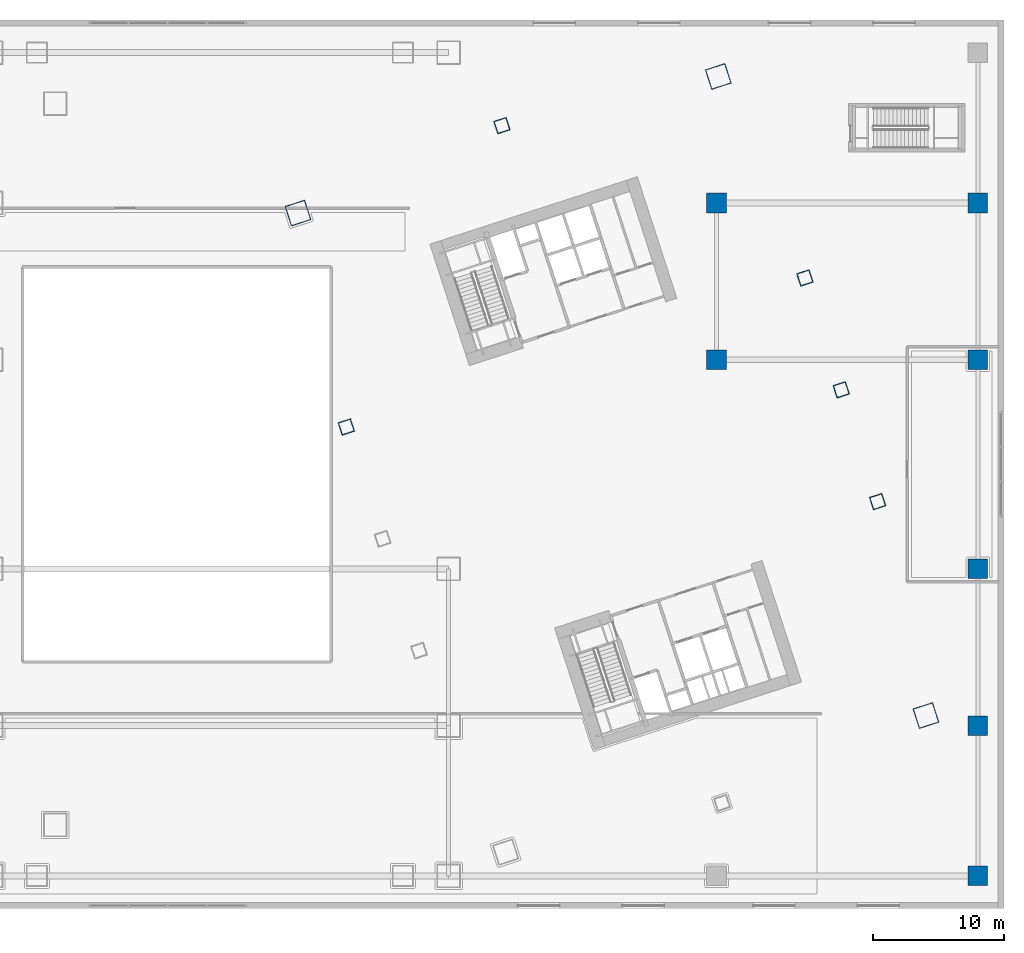
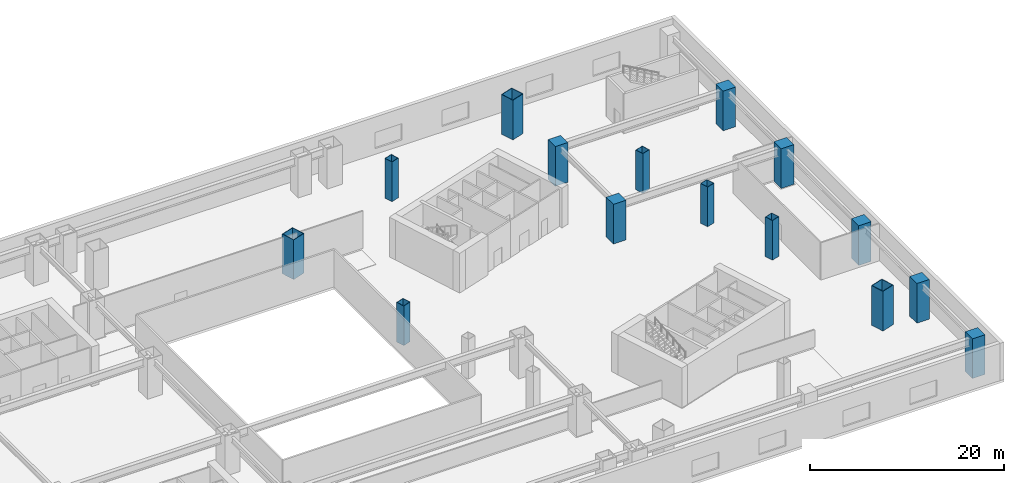
# One storey, part 2 of 35: 15 columns.
"""IFC4 building model written with IfcOpenShell, lengths in metres."""

from ifc_helpers import new_model, si_unit, direction, frame, origin, origin_2d, place, context, subcontext, project, spatial, rectangle, hollow_rectangle, extrude, material, material_profile, profile_set, type_object, element, save


model = new_model("IFC4")

# Units and contexts
model_context = context("Model", 3, precision=1e-05, world=origin(), true_north=direction((0.0, 1.0)))
body_context = subcontext(model_context, "Body", "Model", "MODEL_VIEW")
ifc_project = project(units=[si_unit("LENGTHUNIT", "METRE"), si_unit("AREAUNIT", "SQUARE_METRE"), si_unit("VOLUMEUNIT", "CUBIC_METRE"), si_unit("PLANEANGLEUNIT", "RADIAN"), si_unit("MASSUNIT", "GRAM", prefix="KILO")], contexts=[model_context])

# Site, building, storey
site_placement = place(None, origin())
site = spatial("IfcSite", under=ifc_project, at=site_placement, CompositionType="ELEMENT")
building_placement = place(site_placement, origin())
building = spatial("IfcBuilding", under=site, at=building_placement, Name="Qiaolan Cultural Towers", CompositionType="ELEMENT")
storey_placement = place(building_placement, frame((0.0, 0.0, 11.5)))
storey = spatial("IfcBuildingStorey", under=building, at=storey_placement, Name="L02", CompositionType="ELEMENT", Elevation=11.5)

# Columns
ifc_material_1 = material(Name="Steel Q355B", Category="steel")
ifc_material_profile_1 = material_profile(ifc_material_1, hollow_rectangle(XDim=1.0, YDim=1.0, WallThickness=0.035888671875, at=origin_2d()), Name="BOX1000x1000x36")
ifc_profile_set_1 = profile_set([ifc_material_profile_1], Name="Steel Q355B")
column_type_1 = type_object("IfcColumnType", Name="COL-BOX1000x1000x36", PredefinedType="COLUMN", material=ifc_profile_set_1)
for number, where, z_axis, x_axis, name in (
    (1, (69.671875, 36.858154296875, 0.0), (0.0, 0.0, 1.0), (0.951056516295, 0.309016994375, 0.0), "L02 T2 Column PC-W3"),
    (2, (110.328125, 31.141845703125, 0.0), (0.0, 0.0, 1.0), (0.951056516295, 0.309016994375, 0.0), "L02 T2 Column PC-E1"),
    (3, (107.546875, 39.701416015625, 0.0), (0.0, 0.0, 1.0), (0.951056516295, 0.309016994375, 0.0), "L02 T2 Column PC-E2"),
    (4, (104.765869140625, 48.260986328125, 0.0), (0.0, 0.0, 1.0), (0.951056516295, 0.309016994375, 0.0), "L02 T2 Column PC-E3"),
    (5, (81.579345703125, 59.916259765625, 0.0), (0.0, 0.0, 1.0), (0.951056516295, 0.309016994375, 0.0), "L02 T2 Column PC-N0"),
):
    element("IfcColumn", number, at=place(storey_placement, frame(where, z_axis=z_axis, x_axis=x_axis)), inside=storey, type_object=column_type_1, Name=name, PredefinedType="COLUMN", context=body_context, shape_type="SweptSolid", body=[
        extrude(hollow_rectangle(XDim=1.0, YDim=1.0, WallThickness=0.035888671875, at=origin_2d()), origin(), (0.0, 0.0, 1.0), 5.0009765625),
    ])
ifc_material_2 = material(Name="Steel Q420GJB", Category="steel")
ifc_material_profile_2 = material_profile(ifc_material_2, hollow_rectangle(XDim=1.60009765625, YDim=1.60009765625, WallThickness=0.054931640625, at=origin_2d()), Name="BOX1600x1600x55")
ifc_profile_set_2 = profile_set([ifc_material_profile_2], Name="Steel Q420GJB")
column_type_2 = type_object("IfcColumnType", Name="COL-BOX1600x1600x55", PredefinedType="COLUMN", material=ifc_profile_set_2)
for number, where, z_axis, x_axis, name in (
    (6, (114.027099609375, 14.77392578125, 0.0), (0.0, 0.0, 1.0), (0.951056516295, 0.309016994375, 0.0), "L02 T2 Column MC-SE"),
    (7, (98.137451171875, 63.67724609375, 0.0), (0.0, 0.0, 1.0), (0.951056516295, 0.309016994375, 0.0), "L02 T2 Column MC-NE"),
    (8, (65.972900390625, 53.22607421875, 0.0), (0.0, 0.0, 1.0), (0.951056516295, 0.309016994375, 0.0), "L02 T2 Column MC-NW"),
):
    element("IfcColumn", number, at=place(storey_placement, frame(where, z_axis=z_axis, x_axis=x_axis)), inside=storey, type_object=column_type_2, Name=name, PredefinedType="COLUMN", context=body_context, shape_type="SweptSolid", body=[
        extrude(hollow_rectangle(XDim=1.60009765625, YDim=1.60009765625, WallThickness=0.054931640625, at=origin_2d()), origin(), (0.0, 0.0, 1.0), 5.0009765625),
    ])
ifc_material_3 = material(Name="Concrete C60", Category="concrete")
ifc_material_profile_3 = material_profile(ifc_material_3, rectangle(XDim=1.5, YDim=1.5, at=origin_2d()), Name="RC1500x1500")
ifc_profile_set_3 = profile_set([ifc_material_profile_3], Name="Concrete C60")
column_type_3 = type_object("IfcColumnType", Name="COL-RC1500x1500", PredefinedType="COLUMN", material=ifc_profile_set_3)
for number, where, z_axis, x_axis, name in (
    (9, (98.0, 42.0, 0.0), (0.0, 0.0, 1.0), (1.0, 0.0, 0.0), "L02 Podium Column PC-98-42"),
    (10, (98.0, 54.0, 0.0), (0.0, 0.0, 1.0), (1.0, 0.0, 0.0), "L02 Podium Column PC-98-54"),
    (11, (118.0, 2.5, 0.0), (0.0, 0.0, 1.0), (1.0, 0.0, 0.0), "L02 Podium Column PC-118-2"),
    (12, (118.0, 14.0, 0.0), (0.0, 0.0, 1.0), (1.0, 0.0, 0.0), "L02 Podium Column PC-118-14"),
    (13, (118.0, 26.0, 0.0), (0.0, 0.0, 1.0), (1.0, 0.0, 0.0), "L02 Podium Column PC-118-26"),
    (14, (118.0, 42.0, 0.0), (0.0, 0.0, 1.0), (1.0, 0.0, 0.0), "L02 Podium Column PC-118-42"),
    (15, (118.0, 54.0, 0.0), (0.0, 0.0, 1.0), (1.0, 0.0, 0.0), "L02 Podium Column PC-118-54"),
):
    element("IfcColumn", number, at=place(storey_placement, frame(where, z_axis=z_axis, x_axis=x_axis)), inside=storey, type_object=column_type_3, Name=name, PredefinedType="COLUMN", context=body_context, shape_type="SweptSolid", body=[
        extrude(rectangle(XDim=1.5, YDim=1.5, at=origin_2d()), origin(), (0.0, 0.0, 1.0), 5.0009765625),
    ])

save(model, "model.ifc")
